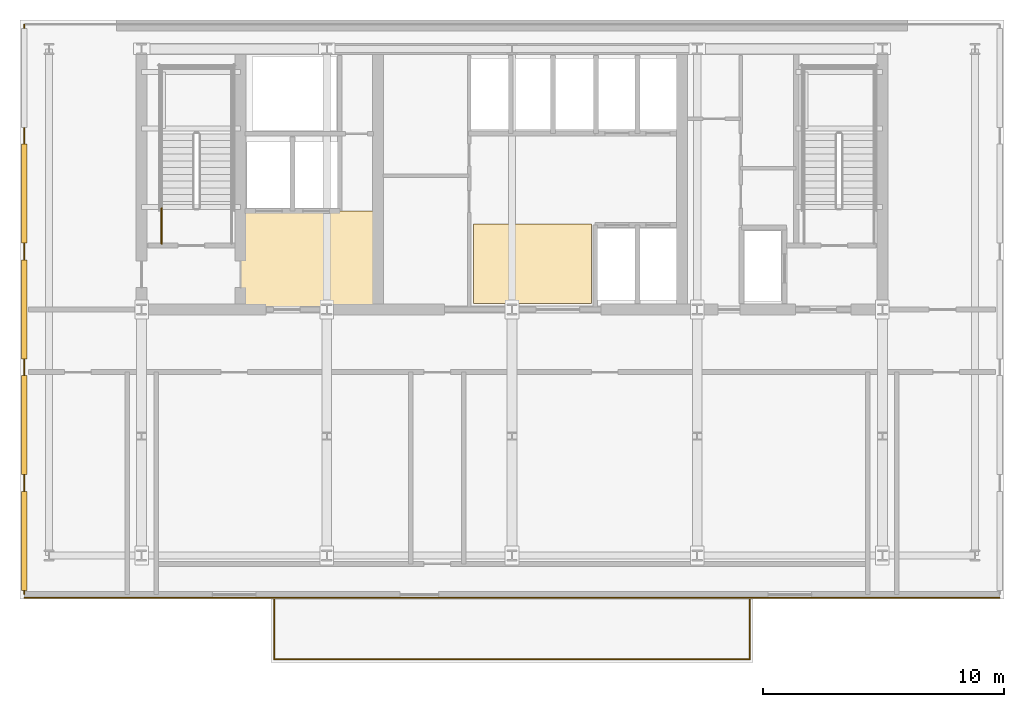
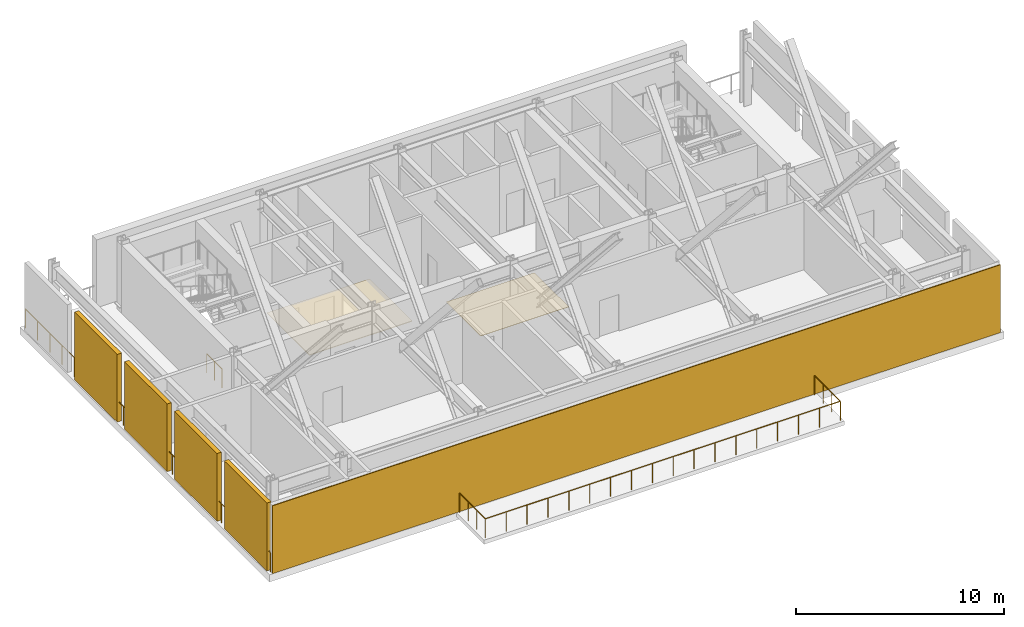
# One storey, part 5 of 8: 4 shading devices, 3 coverings, 3 railings.
"""IFC4 building model written with IfcOpenShell, lengths in metres."""

from ifc_helpers import new_model, si_unit, direction, frame, frame_2d, origin, origin_2d, place, context, subcontext, project, spatial, polyline, rectangle, circle, outline, extrude, material, layer, layer_set, type_object, element, save


model = new_model("IFC4")

# Units and contexts
model_context = context("Model", 3, precision=1e-05, world=origin(), true_north=direction((0.0, 1.0)))
body_context = subcontext(model_context, "Body", "Model", "MODEL_VIEW")
ifc_project = project(units=[si_unit("LENGTHUNIT", "METRE"), si_unit("AREAUNIT", "SQUARE_METRE"), si_unit("VOLUMEUNIT", "CUBIC_METRE"), si_unit("PLANEANGLEUNIT", "RADIAN"), si_unit("MASSUNIT", "GRAM", prefix="KILO")], contexts=[model_context])

# Site, building, storey
site_placement = place(None, origin())
site = spatial("IfcSite", under=ifc_project, at=site_placement, CompositionType="ELEMENT")
building_placement = place(site_placement, origin())
building = spatial("IfcBuilding", under=site, at=building_placement, Name="Yelkora Congress Tower", CompositionType="ELEMENT")
storey_placement = place(building_placement, frame((0.0, 0.0, 191.89990234375)))
storey = spatial("IfcBuildingStorey", under=building, at=storey_placement, Name="L53", CompositionType="ELEMENT", Elevation=191.89990234375)

# Coverings
ifc_material_1 = material(Name="Perforated mineral-fibre acoustic ceiling", Category="gypsum")
ifc_layer_1 = layer(ifc_material_1, 0.0400390625)
ifc_layer_set_1 = layer_set([ifc_layer_1], Name="Perforated mineral-fibre acoustic ceiling")
covering_type_1 = type_object("IfcCoveringType", Name="COV-CEIL-ACOUSTIC-40", PredefinedType="CEILING", material=ifc_layer_set_1)
covering_1_placement = place(storey_placement, frame((0.0, 0.0, 2.400146484375)))
element("IfcCovering", 1, at=covering_1_placement, inside=storey, type_object=covering_type_1, Name="L53 Firefighting Lobby Acoustic Ceiling", PredefinedType="CEILING", context=body_context, shape_type="SweptSolid", body=[
    extrude(outline(polyline([(27.14990234375, 35.39990234375), (32.85009765625, 35.39990234375), (32.85009765625, 39.47998046875), (27.14990234375, 39.47998046875), (27.14990234375, 35.39990234375)])), origin(), (0.0, 0.0, 1.0), 0.0400390625),
])
ifc_material_2 = material(Name="Anatolian honed limestone ashlar", Category="masonry")
ifc_layer_2 = layer(ifc_material_2, 0.050048828125)
ifc_layer_set_2 = layer_set([ifc_layer_2], Name="Anatolian honed limestone ashlar")
covering_type_2 = type_object("IfcCoveringType", Name="COV-CLAD-LIMESTONE-50", PredefinedType="CLADDING", material=ifc_layer_set_2)
covering_2_placement = place(storey_placement, frame((18.179931640625, 23.43994140625, 0.0), z_axis=(0.0, 0.0, 1.0), x_axis=(1.0, 0.0, 0.0)))
element("IfcCovering", 2, at=covering_2_placement, inside=storey, type_object=covering_type_2, Name="L53 Anatolian Limestone Cladding EW-L53-S-SG", PredefinedType="CLADDING", context=body_context, shape_type="SweptSolid", body=[
    extrude(rectangle(XDim=40.440185546875, YDim=0.050048828125, at=frame_2d((20.22021484375, 0.0))), origin(), (0.0, 0.0, 1.0), 3.97998046875),
])
ifc_material_3 = material(Name="Polished Anatolian grey granite tile", Category="masonry")
ifc_layer_3 = layer(ifc_material_3, 0.02001953125)
ifc_layer_set_3 = layer_set([ifc_layer_3], Name="Polished Anatolian grey granite tile")
covering_type_3 = type_object("IfcCoveringType", Name="COV-FLOOR-GRANITE-20", PredefinedType="FLOORING", material=ifc_layer_set_3)
covering_3_placement = place(storey_placement, origin())
element("IfcCovering", 3, at=covering_3_placement, inside=storey, type_object=covering_type_3, Name="L53 Lift Lobby Granite Flooring", PredefinedType="FLOORING", context=body_context, shape_type="SweptSolid", body=[
    extrude(outline(polyline([(36.800048828125, 35.64990234375), (41.699951171875, 35.64990234375), (41.699951171875, 38.949951171875), (36.800048828125, 38.949951171875), (36.800048828125, 35.64990234375)])), origin(), (0.0, 0.0, 1.0), 0.02001953125),
])

# Railings
ifc_material_4 = material(Name="Stainless steel 316L and laminated glass infill", Category="steel")
ifc_layer_4 = layer(ifc_material_4, 0.080078125)
ifc_layer_set_4 = layer_set([ifc_layer_4], Name="Stainless steel 316L and laminated glass infill")
railing_type_1 = type_object("IfcRailingType", Name="RAIL-EXT-GUARD-1150", PredefinedType="GUARDRAIL", material=ifc_layer_set_4)
railing_1_placement = place(storey_placement, frame((18.179931640625, 23.60009765625, 0.0)))
element("IfcRailing", 4, at=railing_1_placement, inside=storey, type_object=railing_type_1, Name="L53 Wind-Floor Perimeter Guardrail W", PredefinedType="GUARDRAIL", context=body_context, shape_type="SweptSolid", body=[
    extrude(circle(Radius=0.02392578125, at=origin_2d()), frame((0.0, 0.0, 1.1259765625), z_axis=(0.0, 1.0, 0.0), x_axis=(-1.0, 0.0, 0.0)), (0.0, 0.0, 1.0), 23.599853515625),
    extrude(circle(Radius=0.02099609375, at=origin_2d()), origin(), (0.0, 0.0, 1.0), 1.101806640625),
    extrude(circle(Radius=0.02099609375, at=origin_2d()), frame((0.0, 1.179931640625, 0.0)), (0.0, 0.0, 1.0), 1.101806640625),
    extrude(circle(Radius=0.02099609375, at=origin_2d()), frame((0.0, 2.35986328125, 0.0)), (0.0, 0.0, 1.0), 1.101806640625),
    extrude(circle(Radius=0.02099609375, at=origin_2d()), frame((0.0, 3.5400390625, 0.0)), (0.0, 0.0, 1.0), 1.101806640625),
    extrude(circle(Radius=0.02099609375, at=origin_2d()), frame((0.0, 4.719970703125, 0.0)), (0.0, 0.0, 1.0), 1.101806640625),
    extrude(circle(Radius=0.02099609375, at=origin_2d()), frame((0.0, 5.89990234375, 0.0)), (0.0, 0.0, 1.0), 1.101806640625),
    extrude(circle(Radius=0.02099609375, at=origin_2d()), frame((0.0, 7.080078125, 0.0)), (0.0, 0.0, 1.0), 1.101806640625),
    extrude(circle(Radius=0.02099609375, at=origin_2d()), frame((0.0, 8.260009765625, 0.0)), (0.0, 0.0, 1.0), 1.101806640625),
    extrude(circle(Radius=0.02099609375, at=origin_2d()), frame((0.0, 9.43994140625, 0.0)), (0.0, 0.0, 1.0), 1.101806640625),
    extrude(circle(Radius=0.02099609375, at=origin_2d()), frame((0.0, 10.619873046875, 0.0)), (0.0, 0.0, 1.0), 1.101806640625),
    extrude(circle(Radius=0.02099609375, at=origin_2d()), frame((0.0, 11.7998046875, 0.0)), (0.0, 0.0, 1.0), 1.101806640625),
    extrude(circle(Radius=0.02099609375, at=origin_2d()), frame((0.0, 12.97998046875, 0.0)), (0.0, 0.0, 1.0), 1.101806640625),
    extrude(circle(Radius=0.02099609375, at=origin_2d()), frame((0.0, 14.159912109375, 0.0)), (0.0, 0.0, 1.0), 1.101806640625),
    extrude(circle(Radius=0.02099609375, at=origin_2d()), frame((0.0, 15.33984375, 0.0)), (0.0, 0.0, 1.0), 1.101806640625),
    extrude(circle(Radius=0.02099609375, at=origin_2d()), frame((0.0, 16.52001953125, 0.0)), (0.0, 0.0, 1.0), 1.101806640625),
    extrude(circle(Radius=0.02099609375, at=origin_2d()), frame((0.0, 17.699951171875, 0.0)), (0.0, 0.0, 1.0), 1.101806640625),
    extrude(circle(Radius=0.02099609375, at=origin_2d()), frame((0.0, 18.8798828125, 0.0)), (0.0, 0.0, 1.0), 1.101806640625),
    extrude(circle(Radius=0.02099609375, at=origin_2d()), frame((0.0, 20.059814453125, 0.0)), (0.0, 0.0, 1.0), 1.101806640625),
    extrude(circle(Radius=0.02099609375, at=origin_2d()), frame((0.0, 21.23974609375, 0.0)), (0.0, 0.0, 1.0), 1.101806640625),
    extrude(circle(Radius=0.02099609375, at=origin_2d()), frame((0.0, 22.419921875, 0.0)), (0.0, 0.0, 1.0), 1.101806640625),
    extrude(circle(Radius=0.02099609375, at=origin_2d()), frame((0.0, 23.599853515625, 0.0)), (0.0, 0.0, 1.0), 1.101806640625),
])
railing_2_placement = place(storey_placement, frame((28.5400390625, 23.360107421875, 0.0)))
element("IfcRailing", 5, at=railing_2_placement, inside=storey, type_object=railing_type_1, Name="L53 Sky Garden Terrace Perimeter Guardrail", PredefinedType="GUARDRAIL", context=body_context, shape_type="SweptSolid", body=[
    extrude(circle(Radius=0.02392578125, at=origin_2d()), frame((0.0, 0.0, 1.1259765625), z_axis=(0.0, -1.0, 0.0), x_axis=(1.0, 0.0, 0.0)), (0.0, 0.0, 1.0), 2.47021484375),
    extrude(circle(Radius=0.02392578125, at=origin_2d()), frame((0.0, -2.47021484375, 1.1259765625), z_axis=(1.0, 0.0, 0.0), x_axis=(0.0, 1.0, 0.0)), (0.0, 0.0, 1.0), 19.719970703125),
    extrude(circle(Radius=0.02392578125, at=origin_2d()), frame((19.719970703125, -2.47021484375, 1.1259765625), z_axis=(0.0, 1.0, 0.0), x_axis=(-1.0, 0.0, 0.0)), (0.0, 0.0, 1.0), 2.47021484375),
    extrude(circle(Radius=0.02099609375, at=origin_2d()), origin(), (0.0, 0.0, 1.0), 1.101806640625),
    extrude(circle(Radius=0.02099609375, at=origin_2d()), frame((0.0, -0.823486328125, 0.0)), (0.0, 0.0, 1.0), 1.101806640625),
    extrude(circle(Radius=0.02099609375, at=origin_2d()), frame((0.0, -1.646728515625, 0.0)), (0.0, 0.0, 1.0), 1.101806640625),
    extrude(circle(Radius=0.02099609375, at=origin_2d()), frame((0.0, -2.47021484375, 0.0)), (0.0, 0.0, 1.0), 1.101806640625),
    extrude(circle(Radius=0.02099609375, at=origin_2d()), frame((1.159912109375, -2.47021484375, 0.0)), (0.0, 0.0, 1.0), 1.101806640625),
    extrude(circle(Radius=0.02099609375, at=origin_2d()), frame((2.320068359375, -2.47021484375, 0.0)), (0.0, 0.0, 1.0), 1.101806640625),
    extrude(circle(Radius=0.02099609375, at=origin_2d()), frame((3.47998046875, -2.47021484375, 0.0)), (0.0, 0.0, 1.0), 1.101806640625),
    extrude(circle(Radius=0.02099609375, at=origin_2d()), frame((4.639892578125, -2.47021484375, 0.0)), (0.0, 0.0, 1.0), 1.101806640625),
    extrude(circle(Radius=0.02099609375, at=origin_2d()), frame((5.800048828125, -2.47021484375, 0.0)), (0.0, 0.0, 1.0), 1.101806640625),
    extrude(circle(Radius=0.02099609375, at=origin_2d()), frame((6.9599609375, -2.47021484375, 0.0)), (0.0, 0.0, 1.0), 1.101806640625),
    extrude(circle(Radius=0.02099609375, at=origin_2d()), frame((8.119873046875, -2.47021484375, 0.0)), (0.0, 0.0, 1.0), 1.101806640625),
    extrude(circle(Radius=0.02099609375, at=origin_2d()), frame((9.280029296875, -2.47021484375, 0.0)), (0.0, 0.0, 1.0), 1.101806640625),
    extrude(circle(Radius=0.02099609375, at=origin_2d()), frame((10.43994140625, -2.47021484375, 0.0)), (0.0, 0.0, 1.0), 1.101806640625),
    extrude(circle(Radius=0.02099609375, at=origin_2d()), frame((11.60009765625, -2.47021484375, 0.0)), (0.0, 0.0, 1.0), 1.101806640625),
    extrude(circle(Radius=0.02099609375, at=origin_2d()), frame((12.760009765625, -2.47021484375, 0.0)), (0.0, 0.0, 1.0), 1.101806640625),
    extrude(circle(Radius=0.02099609375, at=origin_2d()), frame((13.919921875, -2.47021484375, 0.0)), (0.0, 0.0, 1.0), 1.101806640625),
    extrude(circle(Radius=0.02099609375, at=origin_2d()), frame((15.080078125, -2.47021484375, 0.0)), (0.0, 0.0, 1.0), 1.101806640625),
    extrude(circle(Radius=0.02099609375, at=origin_2d()), frame((16.239990234375, -2.47021484375, 0.0)), (0.0, 0.0, 1.0), 1.101806640625),
    extrude(circle(Radius=0.02099609375, at=origin_2d()), frame((17.39990234375, -2.47021484375, 0.0)), (0.0, 0.0, 1.0), 1.101806640625),
    extrude(circle(Radius=0.02099609375, at=origin_2d()), frame((18.56005859375, -2.47021484375, 0.0)), (0.0, 0.0, 1.0), 1.101806640625),
    extrude(circle(Radius=0.02099609375, at=origin_2d()), frame((19.719970703125, -2.47021484375, 0.0)), (0.0, 0.0, 1.0), 1.101806640625),
    extrude(circle(Radius=0.02099609375, at=origin_2d()), frame((19.719970703125, -1.646728515625, 0.0)), (0.0, 0.0, 1.0), 1.101806640625),
    extrude(circle(Radius=0.02099609375, at=origin_2d()), frame((19.719970703125, -0.823486328125, 0.0)), (0.0, 0.0, 1.0), 1.101806640625),
    extrude(circle(Radius=0.02099609375, at=origin_2d()), frame((19.719970703125, 0.0, 0.0)), (0.0, 0.0, 1.0), 1.101806640625),
])
ifc_material_5 = material(Name="Painted galvanised steel stair well guard with vertical infill", Category="steel")
ifc_layer_5 = layer(ifc_material_5, 0.06005859375)
ifc_layer_set_5 = layer_set([ifc_layer_5], Name="Painted galvanised steel stair well guard with vertical infill")
railing_type_2 = type_object("IfcRailingType", Name="RAIL-STAIR-GUARD-1120", PredefinedType="GUARDRAIL", material=ifc_layer_set_5)
railing_3_placement = place(storey_placement, frame((23.8701171875, 38.1201171875, 0.0)))
element("IfcRailing", 6, at=railing_3_placement, inside=storey, type_object=railing_type_2, Name="ST-01 L53 Stair Well Guardrail 9", PredefinedType="GUARDRAIL", context=body_context, shape_type="SweptSolid", body=[
    extrude(circle(Radius=0.02392578125, at=origin_2d()), frame((0.0, 0.0, 1.09619140625), z_axis=(0.0, 1.0, 0.0), x_axis=(-1.0, 0.0, 0.0)), (0.0, 0.0, 1.0), 1.47998046875),
    extrude(circle(Radius=0.02099609375, at=origin_2d()), origin(), (0.0, 0.0, 1.0), 1.072021484375),
    extrude(circle(Radius=0.02099609375, at=origin_2d()), frame((0.0, 0.739990234375, 0.0)), (0.0, 0.0, 1.0), 1.072021484375),
    extrude(circle(Radius=0.02099609375, at=origin_2d()), frame((0.0, 1.47998046875, 0.0)), (0.0, 0.0, 1.0), 1.072021484375),
])

# Shading devices
ifc_material_6 = material(Name="Perforated anodised aluminium louvre", Category="aluminium")
ifc_layer_6 = layer(ifc_material_6, 3.39990234375)
ifc_layer_set_6 = layer_set([ifc_layer_6], Name="Perforated anodised aluminium louvre")
shading_device_type = type_object("IfcShadingDeviceType", Name="SHD-LOUVRE-WIND", PredefinedType="JALOUSIE", material=ifc_layer_set_6)
for number, where, z_axis, x_axis, name in (
    (7, (18.179931640625, 25.800048828125, 0.0), (0.0, 0.0, 1.0), (1.0, 0.0, 0.0), "L53 Acoustic Wind-Floor Louvre Screen W1"),
    (8, (18.179931640625, 30.60009765625, 0.0), (0.0, 0.0, 1.0), (1.0, 0.0, 0.0), "L53 Acoustic Wind-Floor Louvre Screen W2"),
    (9, (18.179931640625, 35.39990234375, 0.0), (0.0, 0.0, 1.0), (1.0, 0.0, 0.0), "L53 Acoustic Wind-Floor Louvre Screen W3"),
    (10, (18.179931640625, 40.199951171875, 0.0), (0.0, 0.0, 1.0), (1.0, 0.0, 0.0), "L53 Acoustic Wind-Floor Louvre Screen W4"),
):
    element("IfcShadingDevice", number, at=place(storey_placement, frame(where, z_axis=z_axis, x_axis=x_axis)), inside=storey, type_object=shading_device_type, Name=name, PredefinedType="JALOUSIE", context=body_context, shape_type="SweptSolid", body=[
        extrude(rectangle(XDim=0.239990234375, YDim=4.10009765625, at=origin_2d()), origin(), (0.0, 0.0, 1.0), 3.97998046875),
    ])

save(model, "model.ifc")
